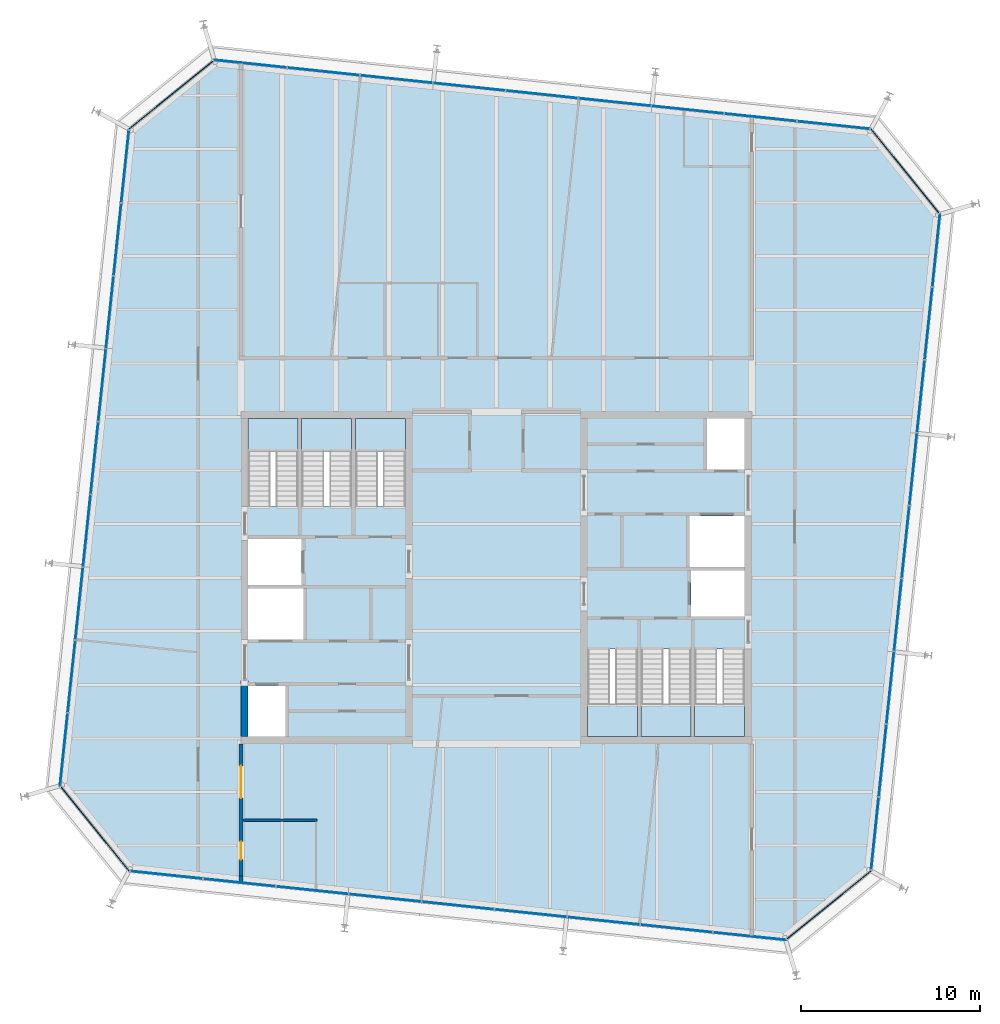
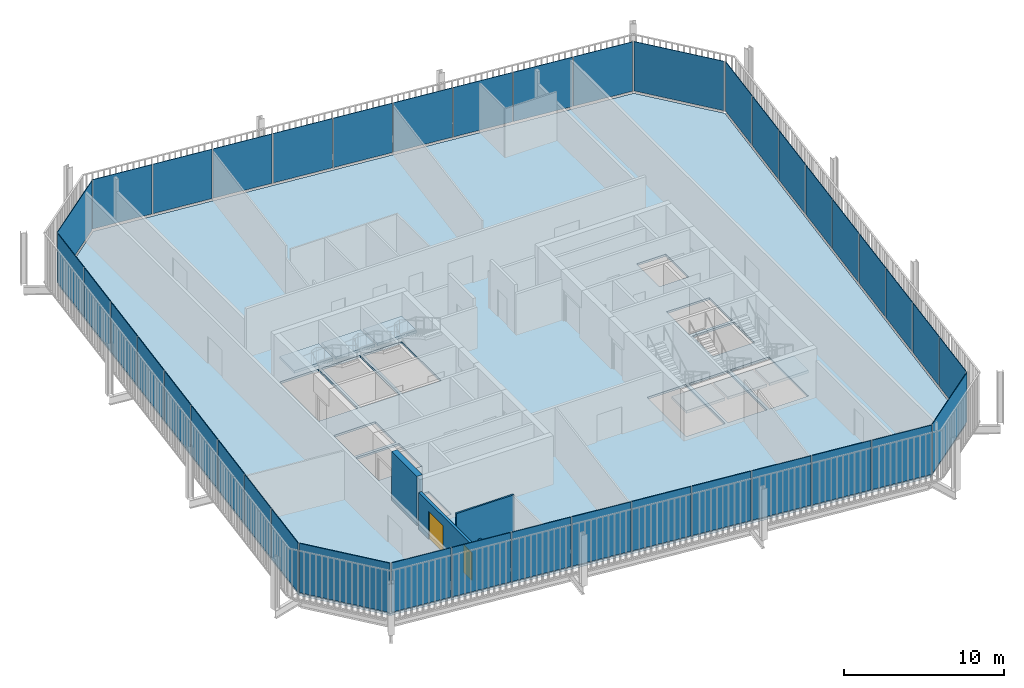
# One storey, part 15 of 20: 40 plates, 7 slabs, 4 walls, 2 doors, 2 openings, 14 elements without a shape of their own.
"""IFC4 building model written with IfcOpenShell, lengths in metres."""

from ifc_helpers import new_model, si_unit, direction, frame, frame_2d, origin, place, context, subcontext, project, spatial, polyline, rectangle, outline, extrude, material, layer, layer_set, type_object, element, fill, aggregate, save


model = new_model("IFC4")

# Units and contexts
model_context = context("Model", 3, precision=1e-05, world=origin(), true_north=direction((0.0, 1.0)))
body_context = subcontext(model_context, "Body", "Model", "MODEL_VIEW")
ifc_project = project(units=[si_unit("LENGTHUNIT", "METRE"), si_unit("AREAUNIT", "SQUARE_METRE"), si_unit("VOLUMEUNIT", "CUBIC_METRE"), si_unit("PLANEANGLEUNIT", "RADIAN"), si_unit("MASSUNIT", "GRAM", prefix="KILO")], contexts=[model_context])

# Site, building, storey
site_placement = place(None, origin())
site = spatial("IfcSite", under=ifc_project, at=site_placement, CompositionType="ELEMENT")
building_placement = place(site_placement, origin())
building = spatial("IfcBuilding", under=site, at=building_placement, Name="Millrace Tower", CompositionType="ELEMENT")
storey_placement = place(building_placement, frame((0.0, 0.0, 303.300048828125)))
storey = spatial("IfcBuildingStorey", under=building, at=storey_placement, Name="L70", CompositionType="ELEMENT", Elevation=303.300048828125)

# Curtain wall, plate
ifc_material_1 = material(Name="Aluminium and glass", Category="aluminium")
ifc_layer_1 = layer(ifc_material_1, 0.14990234375)
ifc_layer_set_1 = layer_set([ifc_layer_1], Name="Aluminium and glass")
curtain_wall_type = type_object("IfcCurtainWallType", Name="CW-1 office vision curtain wall", PredefinedType="NOTDEFINED", material=ifc_layer_set_1)
placement_1 = place(storey_placement, origin())
curtain_wall_1 = element("IfcCurtainWall", 1, at=placement_1, inside=storey, type_object=curtain_wall_type, Name="Curtain wall E-F01 L70", PredefinedType="NOTDEFINED")
ifc_material_2 = material(Name="Glass", Category="glass")
ifc_layer_2 = layer(ifc_material_2, 0.0439453125)
ifc_layer_set_2 = layer_set([ifc_layer_2], Name="Glass")
plate_type = type_object("IfcPlateType", Name="CW-1 office vision curtain wall triple-glazed vision panel", PredefinedType="CURTAIN_PANEL", material=ifc_layer_set_2)
placement_2 = place(storey_placement, frame((0.0, 0.0, 0.139892578125)))
plate_1 = element("IfcPlate", 2, at=placement_2, type_object=plate_type, Name="CW1 panel E-F01.1", PredefinedType="CURTAIN_PANEL", context=body_context, shape_type="SweptSolid", body=[
    extrude(outline(polyline([(-24.388427734375, -11.732421875), (-20.5771484375, -16.439208984375), (-20.554443359375, -16.397216796875), (-24.354248046875, -11.704833984375), (-24.388427734375, -11.732421875)])), origin(), (0.0, 0.0, 1.0), 3.760009765625),
])
aggregate(curtain_wall_1, [plate_1])

# Curtain wall, plates
curtain_wall_2 = element("IfcCurtainWall", 3, at=placement_1, inside=storey, type_object=curtain_wall_type, Name="Curtain wall E-F02 L70", PredefinedType="NOTDEFINED")
plate_2 = element("IfcPlate", 4, at=placement_2, type_object=plate_type, Name="CW1 panel E-F02.1", PredefinedType="CURTAIN_PANEL", context=body_context, shape_type="SweptSolid", body=[
    extrude(outline(polyline([(-20.472412109375, -16.4501953125), (-16.45947265625, -16.871826171875), (-16.454833984375, -16.828125), (-20.4677734375, -16.40625), (-20.472412109375, -16.4501953125)])), origin(), (0.0, 0.0, 1.0), 3.760009765625),
])
plate_3 = element("IfcPlate", 5, at=placement_2, type_object=plate_type, Name="CW1 panel E-F02.2", PredefinedType="CURTAIN_PANEL", context=body_context, shape_type="SweptSolid", body=[
    extrude(outline(polyline([(-16.39501953125, -16.878662109375), (-12.382080078125, -17.300537109375), (-12.37744140625, -17.256591796875), (-16.390380859375, -16.8349609375), (-16.39501953125, -16.878662109375)])), origin(), (0.0, 0.0, 1.0), 3.760009765625),
])
plate_4 = element("IfcPlate", 6, at=placement_2, type_object=plate_type, Name="CW1 panel E-F02.3", PredefinedType="CURTAIN_PANEL", context=body_context, shape_type="SweptSolid", body=[
    extrude(outline(polyline([(-12.3173828125, -17.30712890625), (-8.304443359375, -17.72900390625), (-8.2998046875, -17.685302734375), (-12.312744140625, -17.263427734375), (-12.3173828125, -17.30712890625)])), origin(), (0.0, 0.0, 1.0), 3.760009765625),
])
plate_5 = element("IfcPlate", 7, at=placement_2, type_object=plate_type, Name="CW1 panel E-F02.4", PredefinedType="CURTAIN_PANEL", context=body_context, shape_type="SweptSolid", body=[
    extrude(outline(polyline([(-8.23974609375, -17.73583984375), (-4.22705078125, -18.157470703125), (-4.222412109375, -18.11376953125), (-8.235107421875, -17.692138671875), (-8.23974609375, -17.73583984375)])), origin(), (0.0, 0.0, 1.0), 3.760009765625),
])
plate_6 = element("IfcPlate", 8, at=placement_2, type_object=plate_type, Name="CW1 panel E-F02.5", PredefinedType="CURTAIN_PANEL", context=body_context, shape_type="SweptSolid", body=[
    extrude(outline(polyline([(-4.162353515625, -18.164306640625), (-0.1494140625, -18.586181640625), (-0.144775390625, -18.54248046875), (-4.15771484375, -18.12060546875), (-4.162353515625, -18.164306640625)])), origin(), (0.0, 0.0, 1.0), 3.760009765625),
])
plate_7 = element("IfcPlate", 9, at=placement_2, type_object=plate_type, Name="CW1 panel E-F02.6", PredefinedType="CURTAIN_PANEL", context=body_context, shape_type="SweptSolid", body=[
    extrude(outline(polyline([(-0.084716796875, -18.593017578125), (3.92822265625, -19.0146484375), (3.932861328125, -18.970947265625), (-0.080078125, -18.549072265625), (-0.084716796875, -18.593017578125)])), origin(), (0.0, 0.0, 1.0), 3.760009765625),
])
plate_8 = element("IfcPlate", 10, at=placement_2, type_object=plate_type, Name="CW1 panel E-F02.7", PredefinedType="CURTAIN_PANEL", context=body_context, shape_type="SweptSolid", body=[
    extrude(outline(polyline([(3.99267578125, -19.021484375), (8.005615234375, -19.443359375), (8.01025390625, -19.3994140625), (3.997314453125, -18.977783203125), (3.99267578125, -19.021484375)])), origin(), (0.0, 0.0, 1.0), 3.760009765625),
])
plate_9 = element("IfcPlate", 11, at=placement_2, type_object=plate_type, Name="CW1 panel E-F02.8", PredefinedType="CURTAIN_PANEL", context=body_context, shape_type="SweptSolid", body=[
    extrude(outline(polyline([(8.0703125, -19.449951171875), (12.083251953125, -19.871826171875), (12.087890625, -19.828125), (8.074951171875, -19.40625), (8.0703125, -19.449951171875)])), origin(), (0.0, 0.0, 1.0), 3.760009765625),
])
plate_10 = element("IfcPlate", 12, at=placement_2, type_object=plate_type, Name="CW1 panel E-F02.9", PredefinedType="CURTAIN_PANEL", context=body_context, shape_type="SweptSolid", body=[
    extrude(outline(polyline([(12.14794921875, -19.878662109375), (16.20068359375, -20.3046875), (16.187255859375, -20.259033203125), (12.152587890625, -19.8349609375), (12.14794921875, -19.878662109375)])), origin(), (0.0, 0.0, 1.0), 3.760009765625),
])
aggregate(curtain_wall_2, [plate_2, plate_3, plate_4, plate_5, plate_6, plate_7, plate_8, plate_9, plate_10])

# Curtain wall, plate
curtain_wall_3 = element("IfcCurtainWall", 13, at=placement_1, inside=storey, type_object=curtain_wall_type, Name="Curtain wall E-F03 L70", PredefinedType="NOTDEFINED")
plate_11 = element("IfcPlate", 14, at=placement_2, type_object=plate_type, Name="CW1 panel E-F03.1", PredefinedType="CURTAIN_PANEL", context=body_context, shape_type="SweptSolid", body=[
    extrude(outline(polyline([(16.282470703125, -20.23828125), (20.989013671875, -16.427001953125), (20.947265625, -16.404296875), (16.2548828125, -20.2041015625), (16.282470703125, -20.23828125)])), origin(), (0.0, 0.0, 1.0), 3.760009765625),
])
aggregate(curtain_wall_3, [plate_11])

# Curtain wall, plates
curtain_wall_4 = element("IfcCurtainWall", 15, at=placement_1, inside=storey, type_object=curtain_wall_type, Name="Curtain wall E-F04 L70", PredefinedType="NOTDEFINED")
plate_12 = element("IfcPlate", 16, at=placement_2, type_object=plate_type, Name="CW1 panel E-F04.1", PredefinedType="CURTAIN_PANEL", context=body_context, shape_type="SweptSolid", body=[
    extrude(outline(polyline([(21.0, -16.322509765625), (21.421875, -12.3095703125), (21.378173828125, -12.304931640625), (20.956298828125, -16.31787109375), (21.0, -16.322509765625)])), origin(), (0.0, 0.0, 1.0), 3.760009765625),
])
plate_13 = element("IfcPlate", 17, at=placement_2, type_object=plate_type, Name="CW1 panel E-F04.2", PredefinedType="CURTAIN_PANEL", context=body_context, shape_type="SweptSolid", body=[
    extrude(outline(polyline([(21.4287109375, -12.244873046875), (21.850341796875, -8.23193359375), (21.806640625, -8.227294921875), (21.385009765625, -12.240234375), (21.4287109375, -12.244873046875)])), origin(), (0.0, 0.0, 1.0), 3.760009765625),
])
plate_14 = element("IfcPlate", 18, at=placement_2, type_object=plate_type, Name="CW1 panel E-F04.3", PredefinedType="CURTAIN_PANEL", context=body_context, shape_type="SweptSolid", body=[
    extrude(outline(polyline([(21.857177734375, -8.16748046875), (22.279052734375, -4.154541015625), (22.2353515625, -4.14990234375), (21.8134765625, -8.162841796875), (21.857177734375, -8.16748046875)])), origin(), (0.0, 0.0, 1.0), 3.760009765625),
])
plate_15 = element("IfcPlate", 19, at=placement_2, type_object=plate_type, Name="CW1 panel E-F04.4", PredefinedType="CURTAIN_PANEL", context=body_context, shape_type="SweptSolid", body=[
    extrude(outline(polyline([(22.285888671875, -4.08984375), (22.70751953125, -0.076904296875), (22.663818359375, -0.072265625), (22.241943359375, -4.085205078125), (22.285888671875, -4.08984375)])), origin(), (0.0, 0.0, 1.0), 3.760009765625),
])
plate_16 = element("IfcPlate", 20, at=placement_2, type_object=plate_type, Name="CW1 panel E-F04.5", PredefinedType="CURTAIN_PANEL", context=body_context, shape_type="SweptSolid", body=[
    extrude(outline(polyline([(22.71435546875, -0.01220703125), (23.13623046875, 4.00048828125), (23.09228515625, 4.005126953125), (22.670654296875, -0.007568359375), (22.71435546875, -0.01220703125)])), origin(), (0.0, 0.0, 1.0), 3.760009765625),
])
plate_17 = element("IfcPlate", 21, at=placement_2, type_object=plate_type, Name="CW1 panel E-F04.6", PredefinedType="CURTAIN_PANEL", context=body_context, shape_type="SweptSolid", body=[
    extrude(outline(polyline([(23.142822265625, 4.065185546875), (23.564697265625, 8.078125), (23.52099609375, 8.082763671875), (23.09912109375, 4.06982421875), (23.142822265625, 4.065185546875)])), origin(), (0.0, 0.0, 1.0), 3.760009765625),
])
plate_18 = element("IfcPlate", 22, at=placement_2, type_object=plate_type, Name="CW1 panel E-F04.7", PredefinedType="CURTAIN_PANEL", context=body_context, shape_type="SweptSolid", body=[
    extrude(outline(polyline([(23.571533203125, 8.142822265625), (23.9931640625, 12.15576171875), (23.949462890625, 12.160400390625), (23.52783203125, 8.1474609375), (23.571533203125, 8.142822265625)])), origin(), (0.0, 0.0, 1.0), 3.760009765625),
])
plate_19 = element("IfcPlate", 23, at=placement_2, type_object=plate_type, Name="CW1 panel E-F04.8", PredefinedType="CURTAIN_PANEL", context=body_context, shape_type="SweptSolid", body=[
    extrude(outline(polyline([(24.0, 12.22021484375), (24.421875, 16.233154296875), (24.378173828125, 16.23779296875), (23.956298828125, 12.224853515625), (24.0, 12.22021484375)])), origin(), (0.0, 0.0, 1.0), 3.760009765625),
])
plate_20 = element("IfcPlate", 24, at=placement_2, type_object=plate_type, Name="CW1 panel E-F04.9", PredefinedType="CURTAIN_PANEL", context=body_context, shape_type="SweptSolid", body=[
    extrude(outline(polyline([(24.4287109375, 16.2978515625), (24.8544921875, 20.350830078125), (24.808837890625, 20.337158203125), (24.384765625, 16.302490234375), (24.4287109375, 16.2978515625)])), origin(), (0.0, 0.0, 1.0), 3.760009765625),
])
aggregate(curtain_wall_4, [plate_12, plate_13, plate_14, plate_15, plate_16, plate_17, plate_18, plate_19, plate_20])

# Curtain wall, plate
curtain_wall_5 = element("IfcCurtainWall", 25, at=placement_1, inside=storey, type_object=curtain_wall_type, Name="Curtain wall E-F05 L70", PredefinedType="NOTDEFINED")
plate_21 = element("IfcPlate", 26, at=placement_2, type_object=plate_type, Name="CW1 panel E-F05.1", PredefinedType="CURTAIN_PANEL", context=body_context, shape_type="SweptSolid", body=[
    extrude(outline(polyline([(24.788330078125, 20.432373046875), (20.97705078125, 25.13916015625), (20.954345703125, 25.09716796875), (24.754150390625, 20.40478515625), (24.788330078125, 20.432373046875)])), origin(), (0.0, 0.0, 1.0), 3.760009765625),
])
aggregate(curtain_wall_5, [plate_21])

# Curtain wall, plates
curtain_wall_6 = element("IfcCurtainWall", 27, at=placement_1, inside=storey, type_object=curtain_wall_type, Name="Curtain wall E-F06 L70", PredefinedType="NOTDEFINED")
plate_22 = element("IfcPlate", 28, at=placement_2, type_object=plate_type, Name="CW1 panel E-F06.1", PredefinedType="CURTAIN_PANEL", context=body_context, shape_type="SweptSolid", body=[
    extrude(outline(polyline([(20.87255859375, 25.150146484375), (16.859619140625, 25.57177734375), (16.85498046875, 25.528076171875), (20.867919921875, 25.1064453125), (20.87255859375, 25.150146484375)])), origin(), (0.0, 0.0, 1.0), 3.760009765625),
])
plate_23 = element("IfcPlate", 29, at=placement_2, type_object=plate_type, Name="CW1 panel E-F06.2", PredefinedType="CURTAIN_PANEL", context=body_context, shape_type="SweptSolid", body=[
    extrude(outline(polyline([(16.794921875, 25.57861328125), (12.781982421875, 26.00048828125), (12.77734375, 25.956787109375), (16.790283203125, 25.534912109375), (16.794921875, 25.57861328125)])), origin(), (0.0, 0.0, 1.0), 3.760009765625),
])
plate_24 = element("IfcPlate", 30, at=placement_2, type_object=plate_type, Name="CW1 panel E-F06.3", PredefinedType="CURTAIN_PANEL", context=body_context, shape_type="SweptSolid", body=[
    extrude(outline(polyline([(12.71728515625, 26.00732421875), (8.70458984375, 26.428955078125), (8.699951171875, 26.38525390625), (12.712646484375, 25.96337890625), (12.71728515625, 26.00732421875)])), origin(), (0.0, 0.0, 1.0), 3.760009765625),
])
plate_25 = element("IfcPlate", 31, at=placement_2, type_object=plate_type, Name="CW1 panel E-F06.4", PredefinedType="CURTAIN_PANEL", context=body_context, shape_type="SweptSolid", body=[
    extrude(outline(polyline([(8.639892578125, 26.435791015625), (4.626953125, 26.857666015625), (4.622314453125, 26.813720703125), (8.63525390625, 26.39208984375), (8.639892578125, 26.435791015625)])), origin(), (0.0, 0.0, 1.0), 3.760009765625),
])
plate_26 = element("IfcPlate", 32, at=placement_2, type_object=plate_type, Name="CW1 panel E-F06.5", PredefinedType="CURTAIN_PANEL", context=body_context, shape_type="SweptSolid", body=[
    extrude(outline(polyline([(4.562255859375, 26.8642578125), (0.54931640625, 27.2861328125), (0.544677734375, 27.242431640625), (4.5576171875, 26.820556640625), (4.562255859375, 26.8642578125)])), origin(), (0.0, 0.0, 1.0), 3.760009765625),
])
plate_27 = element("IfcPlate", 33, at=placement_2, type_object=plate_type, Name="CW1 panel E-F06.6", PredefinedType="CURTAIN_PANEL", context=body_context, shape_type="SweptSolid", body=[
    extrude(outline(polyline([(0.48486328125, 27.29296875), (-3.528076171875, 27.714599609375), (-3.53271484375, 27.6708984375), (0.480224609375, 27.249267578125), (0.48486328125, 27.29296875)])), origin(), (0.0, 0.0, 1.0), 3.760009765625),
])
plate_28 = element("IfcPlate", 34, at=placement_2, type_object=plate_type, Name="CW1 panel E-F06.7", PredefinedType="CURTAIN_PANEL", context=body_context, shape_type="SweptSolid", body=[
    extrude(outline(polyline([(-3.5927734375, 27.721435546875), (-7.605712890625, 28.143310546875), (-7.6103515625, 28.099609375), (-3.597412109375, 27.677734375), (-3.5927734375, 27.721435546875)])), origin(), (0.0, 0.0, 1.0), 3.760009765625),
])
plate_29 = element("IfcPlate", 35, at=placement_2, type_object=plate_type, Name="CW1 panel E-F06.8", PredefinedType="CURTAIN_PANEL", context=body_context, shape_type="SweptSolid", body=[
    extrude(outline(polyline([(-7.67041015625, 28.150146484375), (-11.68310546875, 28.57177734375), (-11.687744140625, 28.528076171875), (-7.675048828125, 28.106201171875), (-7.67041015625, 28.150146484375)])), origin(), (0.0, 0.0, 1.0), 3.760009765625),
])
plate_30 = element("IfcPlate", 36, at=placement_2, type_object=plate_type, Name="CW1 panel E-F06.9", PredefinedType="CURTAIN_PANEL", context=body_context, shape_type="SweptSolid", body=[
    extrude(outline(polyline([(-11.747802734375, 28.57861328125), (-15.80078125, 29.004638671875), (-15.787109375, 28.958984375), (-11.75244140625, 28.534912109375), (-11.747802734375, 28.57861328125)])), origin(), (0.0, 0.0, 1.0), 3.760009765625),
])
aggregate(curtain_wall_6, [plate_22, plate_23, plate_24, plate_25, plate_26, plate_27, plate_28, plate_29, plate_30])

# Curtain wall, plate
curtain_wall_7 = element("IfcCurtainWall", 37, at=placement_1, inside=storey, type_object=curtain_wall_type, Name="Curtain wall E-F07 L70", PredefinedType="NOTDEFINED")
plate_31 = element("IfcPlate", 38, at=placement_2, type_object=plate_type, Name="CW1 panel E-F07.1", PredefinedType="CURTAIN_PANEL", context=body_context, shape_type="SweptSolid", body=[
    extrude(outline(polyline([(-15.882568359375, 28.9384765625), (-20.589111328125, 25.126953125), (-20.547119140625, 25.104248046875), (-15.854736328125, 28.904296875), (-15.882568359375, 28.9384765625)])), origin(), (0.0, 0.0, 1.0), 3.760009765625),
])
aggregate(curtain_wall_7, [plate_31])

# Curtain wall, plates
curtain_wall_8 = element("IfcCurtainWall", 39, at=placement_1, inside=storey, type_object=curtain_wall_type, Name="Curtain wall E-F08 L70", PredefinedType="NOTDEFINED")
plate_32 = element("IfcPlate", 40, at=placement_2, type_object=plate_type, Name="CW1 panel E-F08.1", PredefinedType="CURTAIN_PANEL", context=body_context, shape_type="SweptSolid", body=[
    extrude(outline(polyline([(-20.60009765625, 25.0224609375), (-21.02197265625, 21.009521484375), (-20.97802734375, 21.0048828125), (-20.556396484375, 25.017822265625), (-20.60009765625, 25.0224609375)])), origin(), (0.0, 0.0, 1.0), 3.760009765625),
])
plate_33 = element("IfcPlate", 41, at=placement_2, type_object=plate_type, Name="CW1 panel E-F08.2", PredefinedType="CURTAIN_PANEL", context=body_context, shape_type="SweptSolid", body=[
    extrude(outline(polyline([(-21.028564453125, 20.94482421875), (-21.450439453125, 16.93212890625), (-21.40673828125, 16.927490234375), (-20.98486328125, 20.9404296875), (-21.028564453125, 20.94482421875)])), origin(), (0.0, 0.0, 1.0), 3.760009765625),
])
plate_34 = element("IfcPlate", 42, at=placement_2, type_object=plate_type, Name="CW1 panel E-F08.3", PredefinedType="CURTAIN_PANEL", context=body_context, shape_type="SweptSolid", body=[
    extrude(outline(polyline([(-21.457275390625, 16.867431640625), (-21.87890625, 12.8544921875), (-21.835205078125, 12.849853515625), (-21.41357421875, 16.86279296875), (-21.457275390625, 16.867431640625)])), origin(), (0.0, 0.0, 1.0), 3.760009765625),
])
plate_35 = element("IfcPlate", 43, at=placement_2, type_object=plate_type, Name="CW1 panel E-F08.4", PredefinedType="CURTAIN_PANEL", context=body_context, shape_type="SweptSolid", body=[
    extrude(outline(polyline([(-21.8857421875, 12.789794921875), (-22.3076171875, 8.77685546875), (-22.263916015625, 8.772216796875), (-21.842041015625, 12.78515625), (-21.8857421875, 12.789794921875)])), origin(), (0.0, 0.0, 1.0), 3.760009765625),
])
plate_36 = element("IfcPlate", 44, at=placement_2, type_object=plate_type, Name="CW1 panel E-F08.5", PredefinedType="CURTAIN_PANEL", context=body_context, shape_type="SweptSolid", body=[
    extrude(outline(polyline([(-22.314453125, 8.71240234375), (-22.736083984375, 4.699462890625), (-22.6923828125, 4.69482421875), (-22.2705078125, 8.707763671875), (-22.314453125, 8.71240234375)])), origin(), (0.0, 0.0, 1.0), 3.760009765625),
])
plate_37 = element("IfcPlate", 45, at=placement_2, type_object=plate_type, Name="CW1 panel E-F08.6", PredefinedType="CURTAIN_PANEL", context=body_context, shape_type="SweptSolid", body=[
    extrude(outline(polyline([(-22.742919921875, 4.634765625), (-23.164794921875, 0.621826171875), (-23.120849609375, 0.6171875), (-22.69921875, 4.630126953125), (-22.742919921875, 4.634765625)])), origin(), (0.0, 0.0, 1.0), 3.760009765625),
])
plate_38 = element("IfcPlate", 46, at=placement_2, type_object=plate_type, Name="CW1 panel E-F08.7", PredefinedType="CURTAIN_PANEL", context=body_context, shape_type="SweptSolid", body=[
    extrude(outline(polyline([(-23.17138671875, 0.55712890625), (-23.59326171875, -3.45556640625), (-23.549560546875, -3.460205078125), (-23.127685546875, 0.552490234375), (-23.17138671875, 0.55712890625)])), origin(), (0.0, 0.0, 1.0), 3.760009765625),
])
plate_39 = element("IfcPlate", 47, at=placement_2, type_object=plate_type, Name="CW1 panel E-F08.8", PredefinedType="CURTAIN_PANEL", context=body_context, shape_type="SweptSolid", body=[
    extrude(outline(polyline([(-23.60009765625, -3.520263671875), (-24.021728515625, -7.533203125), (-23.97802734375, -7.537841796875), (-23.556396484375, -3.52490234375), (-23.60009765625, -3.520263671875)])), origin(), (0.0, 0.0, 1.0), 3.760009765625),
])
plate_40 = element("IfcPlate", 48, at=placement_2, type_object=plate_type, Name="CW1 panel E-F08.9", PredefinedType="CURTAIN_PANEL", context=body_context, shape_type="SweptSolid", body=[
    extrude(outline(polyline([(-24.028564453125, -7.597900390625), (-24.45458984375, -11.650634765625), (-24.408935546875, -11.63720703125), (-23.98486328125, -7.6025390625), (-24.028564453125, -7.597900390625)])), origin(), (0.0, 0.0, 1.0), 3.760009765625),
])
aggregate(curtain_wall_8, [plate_32, plate_33, plate_34, plate_35, plate_36, plate_37, plate_38, plate_39, plate_40])

# Slab
ifc_material_3 = material(Name="Concrete C35 on steel deck", Category="concrete")
ifc_layer_3 = layer(ifc_material_3, 0.159912109375)
ifc_layer_set_3 = layer_set([ifc_layer_3], Name="Concrete C35 on steel deck")
slab_type_1 = type_object("IfcSlabType", Name="Composite floor slab 160 mm", PredefinedType="FLOOR", material=ifc_layer_set_3)
slab_1_placement = place(storey_placement, frame((0.0, 0.0, -0.16015625)))
element("IfcSlab", 49, at=slab_1_placement, inside=storey, type_object=slab_type_1, Name="SL-E-L70-S1", PredefinedType="FLOOR", context=body_context, shape_type="SweptSolid", body=[
    extrude(outline(polyline([(-24.35400390625, -11.620849609375), (-20.52685546875, -16.346923828125), (16.1708984375, -20.203857421875), (20.896728515625, -16.376953125), (24.75390625, 20.32080078125), (20.927001953125, 25.046875), (-15.77099609375, 28.90380859375), (-20.496826171875, 25.076904296875), (-24.35400390625, -11.620849609375)]), holes=[polyline([(-13.89990234375, -8.89990234375), (-11.800048828125, -8.89990234375), (-11.800048828125, -6.050048828125), (-13.89990234375, -6.050048828125), (-13.89990234375, -8.89990234375)]), polyline([(-13.89990234375, -3.449951171875), (-10.800048828125, -3.449951171875), (-10.800048828125, -0.60009765625), (-13.89990234375, -0.60009765625), (-13.89990234375, -3.449951171875)]), polyline([(-13.89990234375, -0.39990234375), (-10.89990234375, -0.39990234375), (-10.89990234375, 2.179931640625), (-13.89990234375, 2.179931640625), (-13.89990234375, -0.39990234375)]), polyline([(-13.89990234375, 4.0), (-11.10009765625, 4.0), (-11.10009765625, 8.89990234375), (-13.89990234375, 8.89990234375), (-13.89990234375, 4.0)]), polyline([(-10.89990234375, 4.0), (-8.10009765625, 4.0), (-8.10009765625, 8.89990234375), (-10.89990234375, 8.89990234375), (-10.89990234375, 4.0)]), polyline([(-7.89990234375, 4.0), (-5.10009765625, 4.0), (-5.10009765625, 8.89990234375), (-7.89990234375, 8.89990234375), (-7.89990234375, 4.0)]), polyline([(11.800048828125, 6.050048828125), (13.89990234375, 6.050048828125), (13.89990234375, 8.89990234375), (11.800048828125, 8.89990234375), (11.800048828125, 6.050048828125)]), polyline([(10.800048828125, 0.60009765625), (13.89990234375, 0.60009765625), (13.89990234375, 3.449951171875), (10.800048828125, 3.449951171875), (10.800048828125, 0.60009765625)]), polyline([(10.89990234375, -2.179931640625), (13.89990234375, -2.179931640625), (13.89990234375, 0.39990234375), (10.89990234375, 0.39990234375), (10.89990234375, -2.179931640625)]), polyline([(11.10009765625, -8.89990234375), (13.89990234375, -8.89990234375), (13.89990234375, -4.0), (11.10009765625, -4.0), (11.10009765625, -8.89990234375)]), polyline([(8.10009765625, -8.89990234375), (10.89990234375, -8.89990234375), (10.89990234375, -4.0), (8.10009765625, -4.0), (8.10009765625, -8.89990234375)]), polyline([(5.10009765625, -8.89990234375), (7.89990234375, -8.89990234375), (7.89990234375, -4.0), (5.10009765625, -4.0), (5.10009765625, -8.89990234375)])]), origin(), (0.0, 0.0, 1.0), 0.16015625),
])

# Stair, slab
ifc_material_4 = material(Name="Concrete C35", Category="concrete")
stair_type = type_object("IfcStairType", Name="Exit stair", PredefinedType="HALF_TURN_STAIR", material=ifc_material_4)
stair_1 = element("IfcStair", 50, at=placement_1, inside=storey, type_object=stair_type, Name="Stair 1 W L70", PredefinedType="HALF_TURN_STAIR")
ifc_material_5 = material(Name="Concrete C40", Category="concrete")
ifc_layer_4 = layer(ifc_material_5, 0.199951171875)
ifc_layer_set_4 = layer_set([ifc_layer_4], Name="Concrete C40")
slab_type_2 = type_object("IfcSlabType", Name="Stair landing", PredefinedType="LANDING", material=ifc_layer_set_4)
placement_3 = place(storey_placement, frame((0.0, 0.0, 1.75)))
slab_2 = element("IfcSlab", 51, at=placement_3, type_object=slab_type_2, Name="ST12 landing 1", PredefinedType="LANDING", context=body_context, shape_type="SweptSolid", body=[
    extrude(outline(polyline([(-13.89990234375, 7.080078125), (-11.10009765625, 7.080078125), (-11.10009765625, 8.89990234375), (-13.89990234375, 8.89990234375), (-13.89990234375, 7.080078125)])), origin(), (0.0, 0.0, 1.0), 0.199951171875),
])
aggregate(stair_1, [slab_2])

stair_2 = element("IfcStair", 52, at=placement_1, inside=storey, type_object=stair_type, Name="Stair 2 W L70", PredefinedType="HALF_TURN_STAIR")
slab_3 = element("IfcSlab", 53, at=placement_3, type_object=slab_type_2, Name="ST12 landing 1", PredefinedType="LANDING", context=body_context, shape_type="SweptSolid", body=[
    extrude(outline(polyline([(-10.89990234375, 7.080078125), (-8.10009765625, 7.080078125), (-8.10009765625, 8.89990234375), (-10.89990234375, 8.89990234375), (-10.89990234375, 7.080078125)])), origin(), (0.0, 0.0, 1.0), 0.199951171875),
])
aggregate(stair_2, [slab_3])

stair_3 = element("IfcStair", 54, at=placement_1, inside=storey, type_object=stair_type, Name="Stair 3 W L70", PredefinedType="HALF_TURN_STAIR")
slab_4 = element("IfcSlab", 55, at=placement_3, type_object=slab_type_2, Name="ST12 landing 1", PredefinedType="LANDING", context=body_context, shape_type="SweptSolid", body=[
    extrude(outline(polyline([(-7.89990234375, 7.080078125), (-5.10009765625, 7.080078125), (-5.10009765625, 8.89990234375), (-7.89990234375, 8.89990234375), (-7.89990234375, 7.080078125)])), origin(), (0.0, 0.0, 1.0), 0.199951171875),
])
aggregate(stair_3, [slab_4])

stair_4 = element("IfcStair", 56, at=placement_1, inside=storey, type_object=stair_type, Name="Stair 1 E L70", PredefinedType="HALF_TURN_STAIR")
slab_5 = element("IfcSlab", 57, at=placement_3, type_object=slab_type_2, Name="ST12 landing 1", PredefinedType="LANDING", context=body_context, shape_type="SweptSolid", body=[
    extrude(outline(polyline([(11.10009765625, -8.89990234375), (13.89990234375, -8.89990234375), (13.89990234375, -7.080078125), (11.10009765625, -7.080078125), (11.10009765625, -8.89990234375)])), origin(), (0.0, 0.0, 1.0), 0.199951171875),
])
aggregate(stair_4, [slab_5])

stair_5 = element("IfcStair", 58, at=placement_1, inside=storey, type_object=stair_type, Name="Stair 2 E L70", PredefinedType="HALF_TURN_STAIR")
slab_6 = element("IfcSlab", 59, at=placement_3, type_object=slab_type_2, Name="ST12 landing 1", PredefinedType="LANDING", context=body_context, shape_type="SweptSolid", body=[
    extrude(outline(polyline([(8.10009765625, -8.89990234375), (10.89990234375, -8.89990234375), (10.89990234375, -7.080078125), (8.10009765625, -7.080078125), (8.10009765625, -8.89990234375)])), origin(), (0.0, 0.0, 1.0), 0.199951171875),
])
aggregate(stair_5, [slab_6])

stair_6 = element("IfcStair", 60, at=placement_1, inside=storey, type_object=stair_type, Name="Stair 3 E L70", PredefinedType="HALF_TURN_STAIR")
slab_7 = element("IfcSlab", 61, at=placement_3, type_object=slab_type_2, Name="ST12 landing 1", PredefinedType="LANDING", context=body_context, shape_type="SweptSolid", body=[
    extrude(outline(polyline([(5.10009765625, -8.89990234375), (7.89990234375, -8.89990234375), (7.89990234375, -7.080078125), (5.10009765625, -7.080078125), (5.10009765625, -8.89990234375)])), origin(), (0.0, 0.0, 1.0), 0.199951171875),
])
aggregate(stair_6, [slab_7])

# Walls
ifc_material_6 = material(Name="Concrete C60", Category="concrete")
ifc_layer_5 = layer(ifc_material_6, 0.39990234375)
ifc_layer_set_5 = layer_set([ifc_layer_5], Name="Concrete C60")
wall_type_1 = type_object("IfcWallType", Name="Core wall 400 Concrete C60", PredefinedType="SHEAR", material=ifc_layer_set_5)
wall_1_placement = place(storey_placement, frame((-14.10009765625, -8.89990234375, 0.0), z_axis=(0.0, 0.0, 1.0), x_axis=(0.0, 1.0, 0.0)))
element("IfcWall", 62, at=wall_1_placement, inside=storey, type_object=wall_type_1, Name="Core wall W L70", PredefinedType="SHEAR", context=body_context, shape_type="SweptSolid", body=[
    extrude(rectangle(XDim=3.14990234375, YDim=0.39990234375, at=frame_2d((1.574951171875, 0.0))), origin(), (0.0, 0.0, 1.0), 3.739990234375),
])
ifc_material_7 = material(Name="Masonry partition, fire-rated", Category="masonry")
ifc_layer_6 = layer(ifc_material_7, 0.199951171875)
ifc_layer_set_6 = layer_set([ifc_layer_6], Name="Masonry partition, fire-rated")
wall_type_2 = type_object("IfcWallType", Name="Corridor wall 200", PredefinedType="PARTITIONING", material=ifc_layer_set_6)
wall_2_placement = place(storey_placement, frame((-14.300048828125, -17.031494140625, 0.0), z_axis=(0.0, 0.0, 1.0), x_axis=(0.0, 1.0, 0.0)))
element("IfcWall", 63, at=wall_2_placement, inside=storey, type_object=wall_type_2, Name="Corridor wall L70", PredefinedType="PARTITIONING", context=body_context, shape_type="SweptSolid", body=[
    extrude(rectangle(XDim=0.339111328125, YDim=0.199951171875, at=frame_2d((0.16943359375, 0.0))), origin(), (0.0, 0.0, 1.0), 3.739990234375),
])

# Wall, openings, doors
wall_3_placement = place(storey_placement, frame((-14.300048828125, -16.6923828125, 0.0), z_axis=(0.0, 0.0, 1.0), x_axis=(0.0, 1.0, 0.0)))
wall_3 = element("IfcWall", 64, at=wall_3_placement, inside=storey, type_object=wall_type_2, Name="Corridor wall L70", PredefinedType="PARTITIONING", context=body_context, shape_type="SweptSolid", body=[
    extrude(rectangle(XDim=7.392333984375, YDim=0.199951171875, at=frame_2d((3.6962890625, 0.0))), origin(), (0.0, 0.0, 1.0), 2.812744140625),
])
opening_1_placement = place(wall_3_placement, frame((4.351806640625, 0.0, 0.0)))
opening_1 = element("IfcOpeningElement", 65, at=opening_1_placement, cuts=wall_3, Name="Opening 70-P010", PredefinedType="OPENING", context=body_context, shape_type="SweptSolid", body=[
    extrude(rectangle(XDim=1.800048828125, YDim=2.10009765625, at=frame_2d((0.89990234375, 1.050048828125))), frame((0.0, 0.10986328125, 0.0), z_axis=(0.0, -1.0, 0.0), x_axis=(1.0, 0.0, 0.0)), (0.0, 0.0, 1.0), 0.219970703125),
])
opening_2_placement = place(wall_3_placement, frame((0.911376953125, 0.0, 0.0)))
opening_2 = element("IfcOpeningElement", 66, at=opening_2_placement, cuts=wall_3, Name="Opening 70-P011", PredefinedType="OPENING", context=body_context, shape_type="SweptSolid", body=[
    extrude(rectangle(XDim=1.0, YDim=2.10009765625, at=frame_2d((0.5, 1.050048828125))), frame((0.0, 0.10986328125, 0.0), z_axis=(0.0, -1.0, 0.0), x_axis=(1.0, 0.0, 0.0)), (0.0, 0.0, 1.0), 0.219970703125),
])
ifc_material_8 = material(Name="Steel door set, fire-rated", Category="steel")
door_type_1 = type_object("IfcDoorType", Name="Corridor door 1000 x 2100", OperationType="SINGLE_SWING_LEFT", PredefinedType="DOOR", material=ifc_material_8)
door_1_placement = place(opening_2_placement, frame((1.0, 0.0, 0.0), z_axis=(0.0, 0.0, 1.0), x_axis=(-1.0, 0.0, 0.0)))
door_1 = element("IfcDoor", 67, at=door_1_placement, inside=storey, type_object=door_type_1, Name="Door 70-P011", OperationType="SINGLE_SWING_RIGHT", OverallHeight=2.10009765625, OverallWidth=1.0, PredefinedType="DOOR", context=body_context, shape_type="SweptSolid", body=[
    extrude(rectangle(XDim=1.0, YDim=2.10009765625, at=frame_2d((0.5, 1.050048828125))), frame((0.0, 0.02490234375, 0.0), z_axis=(0.0, -1.0, 0.0), x_axis=(1.0, 0.0, 0.0)), (0.0, 0.0, 1.0), 0.050048828125),
])
fill(opening_2, door_1)
ifc_material_9 = material(Name="Steel door set, fire-rated", Category="steel")
door_type_2 = type_object("IfcDoorType", Name="Corridor door 1800 x 2100", OperationType="DOUBLE_DOOR_SINGLE_SWING", PredefinedType="DOOR", material=ifc_material_9)
door_2_placement = place(opening_1_placement, frame((1.800048828125, 0.0, 0.0), z_axis=(0.0, 0.0, 1.0), x_axis=(-1.0, 0.0, 0.0)))
door_2 = element("IfcDoor", 68, at=door_2_placement, inside=storey, type_object=door_type_2, Name="Door 70-P010", OperationType="DOUBLE_DOOR_SINGLE_SWING", OverallHeight=2.10009765625, OverallWidth=1.800048828125, PredefinedType="DOOR", context=body_context, shape_type="SweptSolid", body=[
    extrude(rectangle(XDim=1.800048828125, YDim=2.10009765625, at=frame_2d((0.89990234375, 1.050048828125))), frame((0.0, 0.02490234375, 0.0), z_axis=(0.0, -1.0, 0.0), x_axis=(1.0, 0.0, 0.0)), (0.0, 0.0, 1.0), 0.050048828125),
])
fill(opening_1, door_2)

# Wall
ifc_material_10 = material(Name="Gypsum board partition")
ifc_layer_7 = layer(ifc_material_10, 0.1201171875)
ifc_layer_set_7 = layer_set([ifc_layer_7], Name="Gypsum board partition")
wall_type_3 = type_object("IfcWallType", Name="Partition wall 120", PredefinedType="PARTITIONING", material=ifc_layer_set_7)
wall_4_placement = place(storey_placement, frame((-14.199951171875, -13.5810546875, 0.0), z_axis=(0.0, 0.0, 1.0), x_axis=(1.0, 0.0, 0.0)))
element("IfcWall", 69, at=wall_4_placement, inside=storey, type_object=wall_type_3, Name="Partition wall L70", PredefinedType="PARTITIONING", context=body_context, shape_type="SweptSolid", body=[
    extrude(rectangle(XDim=4.159912109375, YDim=0.1201171875, at=frame_2d((2.080078125, 0.0))), origin(), (0.0, 0.0, 1.0), 3.739990234375),
])

save(model, "model.ifc")
